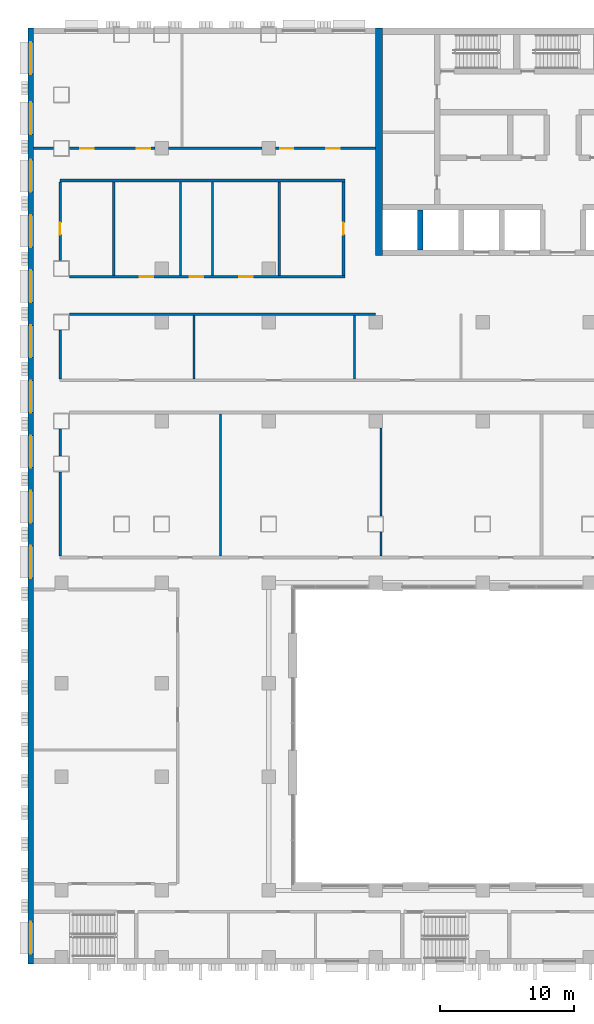
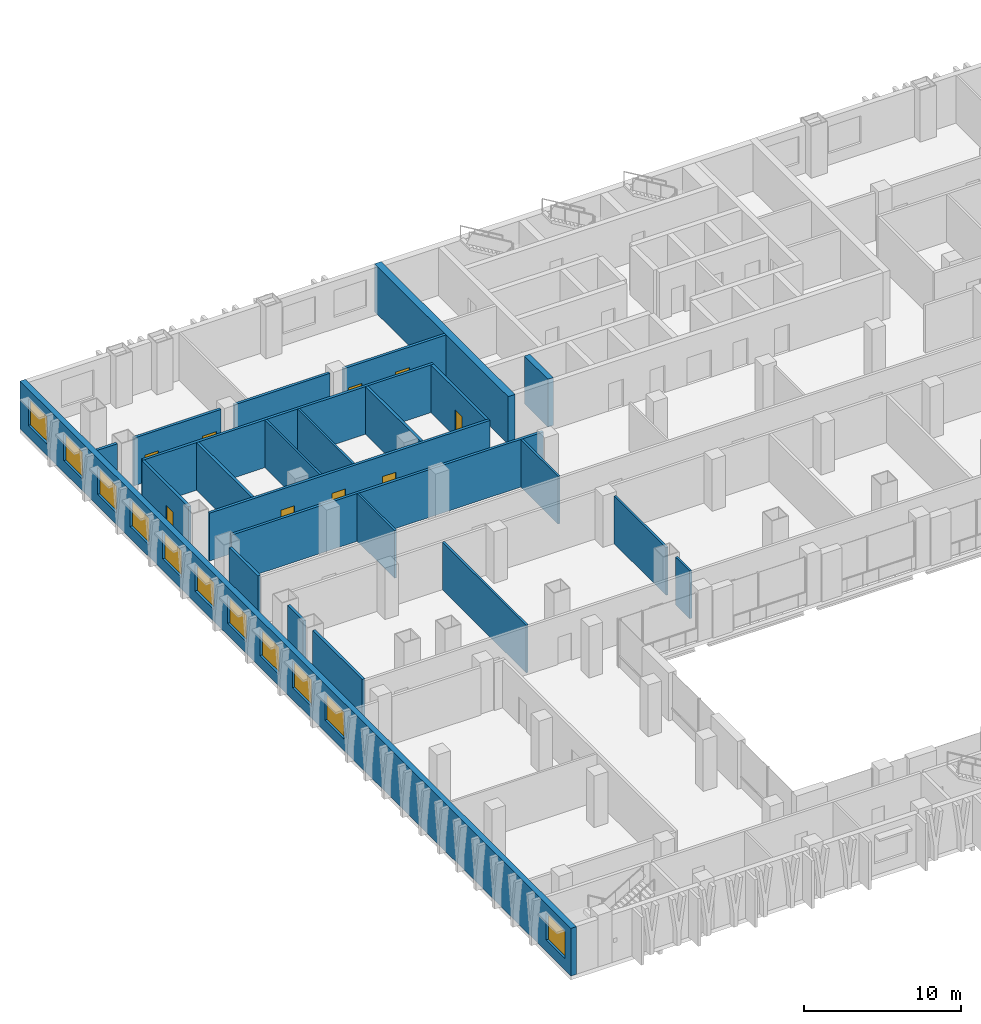
# One storey, part 11 of 25: 24 walls, 11 windows, 9 doors, 20 openings.
"""IFC4 building model written with IfcOpenShell, lengths in metres."""

import ifcopenshell
import ifcopenshell.guid

model = None  # the IFC model being written
_history = None  # IfcOwnerHistory: only IFC2X3 demands one
_inside = {}  # id of a spatial element -> (the spatial element, [elements in it])
_under = {}  # id of a project, library or spatial element -> (it, [spatial elements below it])
_declared = {}  # id of a project -> (the project, [libraries it declares])
_typed = {}  # id of a type object -> (the type object, [elements of that type])
_made_of = {}  # id of a material, layer set ... -> (it, [elements and type objects made of it])


def new_model(schema):
    """Start an empty IFC model of exactly this schema.

    Asked for "IFC4X3", IfcOpenShell would pick the latest addendum, in which some entities
    have other attributes; the version numbers below select the first issue.
    IFC2X3 requires an IfcOwnerHistory on every rooted entity: one is made here for all.
    """
    global model, _history
    if schema == "IFC4X3":
        model = ifcopenshell.file(schema_version=(4, 3, 0, 0))
    else:
        model = ifcopenshell.file(schema=schema)
    _inside.clear()
    _under.clear()
    _declared.clear()
    _typed.clear()
    _made_of.clear()
    _history = None
    if model.schema == "IFC2X3":
        org = make("IfcOrganization", Name="unknown")
        user = make(
            "IfcPersonAndOrganization",
            ThePerson=make("IfcPerson", FamilyName="unknown"),
            TheOrganization=org,
        )
        app = make(
            "IfcApplication",
            ApplicationDeveloper=org,
            Version="unknown",
            ApplicationFullName="unknown",
            ApplicationIdentifier="unknown",
        )
        _history = make(
            "IfcOwnerHistory",
            OwningUser=user,
            OwningApplication=app,
            ChangeAction="ADDED",
            CreationDate=0,
        )
    return model


def make(cls, **values):
    """One entity of the class cls with the attributes given. An attribute that is None is left unset."""
    return model.create_entity(
        cls, **{name: value for name, value in values.items() if value is not None}
    )


def rooted(cls, **values):
    """An entity with a GlobalId (a new one), such as an element, a storey or a relation."""
    return make(cls, GlobalId=ifcopenshell.guid.new(), OwnerHistory=_history, **values)


def si_unit(unit_type, name, prefix=None):
    """IfcSIUnit, for example si_unit("LENGTHUNIT", "METRE", prefix="MILLI")."""
    return make("IfcSIUnit", UnitType=unit_type, Prefix=prefix, Name=name)


def assignment(units):
    """IfcUnitAssignment: the units of a project."""
    return None if units is None else make("IfcUnitAssignment", Units=units)


def point(xyz):
    """IfcCartesianPoint."""
    return None if xyz is None else make("IfcCartesianPoint", Coordinates=xyz)


def direction(xyz):
    """IfcDirection."""
    return None if xyz is None else make("IfcDirection", DirectionRatios=xyz)


def frame(location, z_axis=None, x_axis=None):
    """IfcAxis2Placement3D, a coordinate frame: its origin and axes. An axis left out is left unset."""
    return make(
        "IfcAxis2Placement3D",
        Location=point(location),
        Axis=direction(z_axis),
        RefDirection=direction(x_axis),
    )


def frame_2d(location, x_axis=None):
    """IfcAxis2Placement2D, a coordinate frame in the plane: its origin and x axis."""
    return make(
        "IfcAxis2Placement2D", Location=point(location), RefDirection=direction(x_axis)
    )


def origin():
    """The frame at (0, 0, 0) with its axes left unset."""
    return frame((0.0, 0.0, 0.0))


def place(relative_to, where):
    """IfcLocalPlacement: puts the frame where relative to a parent placement (None: the world)."""
    return make(
        "IfcLocalPlacement", PlacementRelTo=relative_to, RelativePlacement=where
    )


def context(
    kind, dimensions, precision=None, world=None, true_north=None, identifier=None
):
    """IfcGeometricRepresentationContext, for example the 3D "Model" context."""
    return make(
        "IfcGeometricRepresentationContext",
        ContextIdentifier=identifier,
        ContextType=kind,
        CoordinateSpaceDimension=dimensions,
        Precision=precision,
        WorldCoordinateSystem=world,
        TrueNorth=true_north,
    )


def subcontext(parent, identifier, kind, view, scale=None):
    """IfcGeometricRepresentationSubContext, for example "Body" below "Model"."""
    return make(
        "IfcGeometricRepresentationSubContext",
        ContextIdentifier=identifier,
        ContextType=kind,
        ParentContext=parent,
        TargetScale=scale,
        TargetView=view,
    )


def project(units=None, contexts=None):
    """IfcProject with its units and contexts."""
    return rooted(
        "IfcProject",
        Name="project",
        RepresentationContexts=contexts,
        UnitsInContext=assignment(units),
    )


def spatial(cls, under=None, at=None, **own):
    """A site, building, storey or space (cls), placed at a placement, below another one or the project."""
    s = rooted(cls, ObjectPlacement=at, **own)
    if under is not None:
        _under.setdefault(under.id(), (under, []))[1].append(s)
    return s


def profile(cls, at=None, kind="AREA", **sizes):
    """A parametric profile (cls). Its sizes go by their IFC names, for example OverallWidth=200.0."""
    return make(cls, ProfileType=kind, Position=at, **sizes)


def rectangle(**sizes):
    """IfcRectangleProfileDef."""
    return profile("IfcRectangleProfileDef", **sizes)


def extrude(swept, where, along, depth):
    """IfcExtrudedAreaSolid: the profile swept, set in the frame where, extruded along a direction by depth."""
    return make(
        "IfcExtrudedAreaSolid",
        SweptArea=swept,
        Position=where,
        ExtrudedDirection=direction(along),
        Depth=depth,
    )


def shape(context_of_items, identifier, shape_type, items):
    """IfcShapeRepresentation: the items that make up one representation, for example the "Body"."""
    return make(
        "IfcShapeRepresentation",
        ContextOfItems=context_of_items,
        RepresentationIdentifier=identifier,
        RepresentationType=shape_type,
        Items=items,
    )


def material(Name=None, Category=None):
    """IfcMaterial."""
    return make("IfcMaterial", Name=Name, Category=Category)


def layer(
    of_material, thickness, ventilated=None, Name=None, Category=None, Priority=None
):
    """IfcMaterialLayer: one layer of a wall or slab, of a material (None: an air gap)."""
    return make(
        "IfcMaterialLayer",
        Material=of_material,
        LayerThickness=thickness,
        IsVentilated=ventilated,
        Name=Name,
        Category=Category,
        Priority=Priority,
    )


def layer_set(layers, Name=None):
    """IfcMaterialLayerSet."""
    return make("IfcMaterialLayerSet", MaterialLayers=layers, LayerSetName=Name)


def made_of(thing, what):
    """Note that an element or type object is made of a material, layer set ...; save() writes the relation."""
    if what is not None:
        _made_of.setdefault(what.id(), (what, []))[1].append(thing)
    return thing


def type_object(cls, material=None, **own):
    """A type object (cls), such as IfcWallType, which elements share."""
    return made_of(rooted(cls, **own), material)


def element(
    cls,
    number,
    at=None,
    inside=None,
    cuts=None,
    type_object=None,
    material=None,
    context=None,
    identifier="Body",
    shape_type=None,
    held_by="IfcProductDefinitionShape",
    body=None,
    shapes=None,
    **own,
):
    """One element of the class cls, such as IfcWall. Its Tag is "e" and its number.

    at: its placement. inside: the storey or other place that contains it. cuts: it is an
    opening in that element (IfcRelVoidsElement). A single representation is given by context,
    identifier, shape_type and body (its items); several are given by shapes. held_by: the class
    of the entity that holds the representations. save() writes the other relations.
    """
    e = rooted(cls, Tag="e%d" % number, ObjectPlacement=at, **own)
    if body is not None:
        shapes = [shape(context, identifier, shape_type, body)]
    if shapes is not None:
        e.Representation = make(held_by, Representations=shapes)
    if inside is not None:
        _inside.setdefault(inside.id(), (inside, []))[1].append(e)
    if cuts is not None:
        rooted(
            "IfcRelVoidsElement", RelatingBuildingElement=cuts, RelatedOpeningElement=e
        )
    if type_object is not None:
        _typed.setdefault(type_object.id(), (type_object, []))[1].append(e)
    return made_of(e, material)


def fill(opening, filler):
    """IfcRelFillsElement: the door or window that sits in an opening."""
    return rooted(
        "IfcRelFillsElement",
        RelatingOpeningElement=opening,
        RelatedBuildingElement=filler,
    )


def aggregate(whole, parts):
    """IfcRelAggregates: a whole, such as a stair, and the parts it consists of."""
    return rooted("IfcRelAggregates", RelatingObject=whole, RelatedObjects=parts)


def save(model, path):
    """Write the relations noted so far, then the file.

    IfcRelAggregates (storeys below a building ...), IfcRelContainedInSpatialStructure (elements
    in a storey), IfcRelDefinesByType, IfcRelAssociatesMaterial and IfcRelDeclares: one each for
    every whole, place, type object, material and project.
    """
    for whole, parts in _under.values():
        aggregate(whole, parts)
    for where, things in _inside.values():
        rooted(
            "IfcRelContainedInSpatialStructure",
            RelatedElements=things,
            RelatingStructure=where,
        )
    for kind, things in _typed.values():
        rooted("IfcRelDefinesByType", RelatedObjects=things, RelatingType=kind)
    for what, things in _made_of.values():
        rooted("IfcRelAssociatesMaterial", RelatedObjects=things, RelatingMaterial=what)
    for by, libraries in _declared.values():
        rooted("IfcRelDeclares", RelatingContext=by, RelatedDefinitions=libraries)
    model.write(path)


model = new_model("IFC4")

# Units and contexts
model_context = context("Model", 3, precision=1e-05, world=origin(), true_north=direction((0.0, 1.0)))
body_context = subcontext(model_context, "Body", "Model", "MODEL_VIEW")
ifc_project = project(units=[si_unit("LENGTHUNIT", "METRE"), si_unit("AREAUNIT", "SQUARE_METRE"), si_unit("VOLUMEUNIT", "CUBIC_METRE"), si_unit("PLANEANGLEUNIT", "RADIAN"), si_unit("MASSUNIT", "GRAM", prefix="KILO")], contexts=[model_context])

# Site, building, storey
site_placement = place(None, origin())
site = spatial("IfcSite", under=ifc_project, at=site_placement, CompositionType="ELEMENT")
building_placement = place(site_placement, origin())
building = spatial("IfcBuilding", under=site, at=building_placement, Name="Vidyagriha Tower", CompositionType="ELEMENT")
storey_placement = place(building_placement, frame((0.0, 0.0, 14.0)))
storey = spatial("IfcBuildingStorey", under=building, at=storey_placement, Name="L03", CompositionType="ELEMENT", Elevation=14.0)

# Wall, openings, windows
ifc_material_1 = material(Name="Concrete C40/50 board-marked with brick facing", Category="concrete")
ifc_layer_1 = layer(ifc_material_1, 0.39990234375)
ifc_layer_set_1 = layer_set([ifc_layer_1], Name="Concrete C40/50 board-marked with brick facing")
wall_type_1 = type_object("IfcWallType", Name="Brick-faced board-marked concrete podium wall 400", PredefinedType="STANDARD", material=ifc_layer_set_1)
wall_1_placement = place(storey_placement, frame((-39.800048828125, 20.0, 0.0), z_axis=(0.0, 0.0, 1.0), x_axis=(0.0, -1.0, 0.0)))
wall_1 = element("IfcWall", 1, at=wall_1_placement, inside=storey, type_object=wall_type_1, Name="Podium wall L03 R05", PredefinedType="STANDARD", context=body_context, shape_type="SweptSolid", body=[
    extrude(rectangle(XDim=70.0, YDim=0.39990234375, at=frame_2d((35.0, 0.0))), origin(), (0.0, 0.0, 1.0), 3.699951171875),
])
opening_1_placement = place(wall_1_placement, frame((1.050048828125, 0.0, 0.89990234375)))
opening_1 = element("IfcOpeningElement", 2, at=opening_1_placement, cuts=wall_1, Name="Opening WN3", PredefinedType="OPENING", context=body_context, shape_type="SweptSolid", body=[
    extrude(rectangle(XDim=2.39990234375, YDim=2.10009765625, at=frame_2d((1.199951171875, 1.050048828125))), frame((0.0, 0.2099609375, 0.0), z_axis=(0.0, -1.0, 0.0), x_axis=(1.0, 0.0, 0.0)), (0.0, 0.0, 1.0), 0.419921875),
])
opening_2_placement = place(wall_1_placement, frame((5.550048828125, 0.0, 0.89990234375)))
opening_2 = element("IfcOpeningElement", 3, at=opening_2_placement, cuts=wall_1, Name="Opening WN3", PredefinedType="OPENING", context=body_context, shape_type="SweptSolid", body=[
    extrude(rectangle(XDim=2.39990234375, YDim=2.10009765625, at=frame_2d((1.199951171875, 1.050048828125))), frame((0.0, 0.2099609375, 0.0), z_axis=(0.0, -1.0, 0.0), x_axis=(1.0, 0.0, 0.0)), (0.0, 0.0, 1.0), 0.419921875),
])
opening_3_placement = place(wall_1_placement, frame((9.862548828125, 0.0, 0.89990234375)))
opening_3 = element("IfcOpeningElement", 4, at=opening_3_placement, cuts=wall_1, Name="Opening WN3", PredefinedType="OPENING", context=body_context, shape_type="SweptSolid", body=[
    extrude(rectangle(XDim=2.39990234375, YDim=2.10009765625, at=frame_2d((1.199951171875, 1.050048828125))), frame((0.0, 0.2099609375, 0.0), z_axis=(0.0, -1.0, 0.0), x_axis=(1.0, 0.0, 0.0)), (0.0, 0.0, 1.0), 0.419921875),
])
opening_4_placement = place(wall_1_placement, frame((13.987548828125, 0.0, 0.89990234375)))
opening_4 = element("IfcOpeningElement", 5, at=opening_4_placement, cuts=wall_1, Name="Opening WN3", PredefinedType="OPENING", context=body_context, shape_type="SweptSolid", body=[
    extrude(rectangle(XDim=2.39990234375, YDim=2.10009765625, at=frame_2d((1.199951171875, 1.050048828125))), frame((0.0, 0.2099609375, 0.0), z_axis=(0.0, -1.0, 0.0), x_axis=(1.0, 0.0, 0.0)), (0.0, 0.0, 1.0), 0.419921875),
])
opening_5_placement = place(wall_1_placement, frame((18.112548828125, 0.0, 0.89990234375)))
opening_5 = element("IfcOpeningElement", 6, at=opening_5_placement, cuts=wall_1, Name="Opening WN3", PredefinedType="OPENING", context=body_context, shape_type="SweptSolid", body=[
    extrude(rectangle(XDim=2.39990234375, YDim=2.10009765625, at=frame_2d((1.199951171875, 1.050048828125))), frame((0.0, 0.2099609375, 0.0), z_axis=(0.0, -1.0, 0.0), x_axis=(1.0, 0.0, 0.0)), (0.0, 0.0, 1.0), 0.419921875),
])
opening_6_placement = place(wall_1_placement, frame((22.237548828125, 0.0, 0.89990234375)))
opening_6 = element("IfcOpeningElement", 7, at=opening_6_placement, cuts=wall_1, Name="Opening WN3", PredefinedType="OPENING", context=body_context, shape_type="SweptSolid", body=[
    extrude(rectangle(XDim=2.39990234375, YDim=2.10009765625, at=frame_2d((1.199951171875, 1.050048828125))), frame((0.0, 0.2099609375, 0.0), z_axis=(0.0, -1.0, 0.0), x_axis=(1.0, 0.0, 0.0)), (0.0, 0.0, 1.0), 0.419921875),
])
opening_7_placement = place(wall_1_placement, frame((26.362548828125, 0.0, 0.89990234375)))
opening_7 = element("IfcOpeningElement", 8, at=opening_7_placement, cuts=wall_1, Name="Opening WN3", PredefinedType="OPENING", context=body_context, shape_type="SweptSolid", body=[
    extrude(rectangle(XDim=2.39990234375, YDim=2.10009765625, at=frame_2d((1.199951171875, 1.050048828125))), frame((0.0, 0.2099609375, 0.0), z_axis=(0.0, -1.0, 0.0), x_axis=(1.0, 0.0, 0.0)), (0.0, 0.0, 1.0), 0.419921875),
])
opening_8_placement = place(wall_1_placement, frame((30.487548828125, 0.0, 0.89990234375)))
opening_8 = element("IfcOpeningElement", 9, at=opening_8_placement, cuts=wall_1, Name="Opening WN3", PredefinedType="OPENING", context=body_context, shape_type="SweptSolid", body=[
    extrude(rectangle(XDim=2.39990234375, YDim=2.10009765625, at=frame_2d((1.199951171875, 1.050048828125))), frame((0.0, 0.2099609375, 0.0), z_axis=(0.0, -1.0, 0.0), x_axis=(1.0, 0.0, 0.0)), (0.0, 0.0, 1.0), 0.419921875),
])
opening_9_placement = place(wall_1_placement, frame((34.612548828125, 0.0, 0.89990234375)))
opening_9 = element("IfcOpeningElement", 10, at=opening_9_placement, cuts=wall_1, Name="Opening WN3", PredefinedType="OPENING", context=body_context, shape_type="SweptSolid", body=[
    extrude(rectangle(XDim=2.39990234375, YDim=2.10009765625, at=frame_2d((1.199951171875, 1.050048828125))), frame((0.0, 0.2099609375, 0.0), z_axis=(0.0, -1.0, 0.0), x_axis=(1.0, 0.0, 0.0)), (0.0, 0.0, 1.0), 0.419921875),
])
opening_10_placement = place(wall_1_placement, frame((38.737548828125, 0.0, 0.89990234375)))
opening_10 = element("IfcOpeningElement", 11, at=opening_10_placement, cuts=wall_1, Name="Opening WN3", PredefinedType="OPENING", context=body_context, shape_type="SweptSolid", body=[
    extrude(rectangle(XDim=2.39990234375, YDim=2.10009765625, at=frame_2d((1.199951171875, 1.050048828125))), frame((0.0, 0.2099609375, 0.0), z_axis=(0.0, -1.0, 0.0), x_axis=(1.0, 0.0, 0.0)), (0.0, 0.0, 1.0), 0.419921875),
])
opening_11_placement = place(wall_1_placement, frame((66.85009765625, 0.0, 0.89990234375)))
opening_11 = element("IfcOpeningElement", 12, at=opening_11_placement, cuts=wall_1, Name="Opening WN3", PredefinedType="OPENING", context=body_context, shape_type="SweptSolid", body=[
    extrude(rectangle(XDim=2.39990234375, YDim=2.10009765625, at=frame_2d((1.199951171875, 1.050048828125))), frame((0.0, 0.2099609375, 0.0), z_axis=(0.0, -1.0, 0.0), x_axis=(1.0, 0.0, 0.0)), (0.0, 0.0, 1.0), 0.419921875),
])
ifc_material_2 = material(Name="Aluminium and glass window", Category="aluminium")
window_type = type_object("IfcWindowType", Name="Podium school window 2400x2100", PartitioningType="NOTDEFINED", PredefinedType="WINDOW", material=ifc_material_2)
window_1_placement = place(opening_1_placement, origin())
window_1 = element("IfcWindow", 13, at=window_1_placement, inside=storey, type_object=window_type, Name="School window L03 R05.1", OverallHeight=2.10009765625, OverallWidth=2.39990234375, PartitioningType="SINGLE_PANEL", PredefinedType="WINDOW", context=body_context, shape_type="SweptSolid", body=[
    extrude(rectangle(XDim=2.39990234375, YDim=2.10009765625, at=frame_2d((1.199951171875, 1.050048828125))), frame((0.0, 0.030029296875, 0.0), z_axis=(0.0, -1.0, 0.0), x_axis=(1.0, 0.0, 0.0)), (0.0, 0.0, 1.0), 0.06005859375),
])
fill(opening_1, window_1)
window_2_placement = place(opening_2_placement, origin())
window_2 = element("IfcWindow", 14, at=window_2_placement, inside=storey, type_object=window_type, Name="School window L03 R05.2", OverallHeight=2.10009765625, OverallWidth=2.39990234375, PartitioningType="SINGLE_PANEL", PredefinedType="WINDOW", context=body_context, shape_type="SweptSolid", body=[
    extrude(rectangle(XDim=2.39990234375, YDim=2.10009765625, at=frame_2d((1.199951171875, 1.050048828125))), frame((0.0, 0.030029296875, 0.0), z_axis=(0.0, -1.0, 0.0), x_axis=(1.0, 0.0, 0.0)), (0.0, 0.0, 1.0), 0.06005859375),
])
fill(opening_2, window_2)
window_3_placement = place(opening_3_placement, origin())
window_3 = element("IfcWindow", 15, at=window_3_placement, inside=storey, type_object=window_type, Name="School window L03 R05.3", OverallHeight=2.10009765625, OverallWidth=2.39990234375, PartitioningType="SINGLE_PANEL", PredefinedType="WINDOW", context=body_context, shape_type="SweptSolid", body=[
    extrude(rectangle(XDim=2.39990234375, YDim=2.10009765625, at=frame_2d((1.199951171875, 1.050048828125))), frame((0.0, 0.030029296875, 0.0), z_axis=(0.0, -1.0, 0.0), x_axis=(1.0, 0.0, 0.0)), (0.0, 0.0, 1.0), 0.06005859375),
])
fill(opening_3, window_3)
window_4_placement = place(opening_4_placement, origin())
window_4 = element("IfcWindow", 16, at=window_4_placement, inside=storey, type_object=window_type, Name="School window L03 R05.4", OverallHeight=2.10009765625, OverallWidth=2.39990234375, PartitioningType="SINGLE_PANEL", PredefinedType="WINDOW", context=body_context, shape_type="SweptSolid", body=[
    extrude(rectangle(XDim=2.39990234375, YDim=2.10009765625, at=frame_2d((1.199951171875, 1.050048828125))), frame((0.0, 0.030029296875, 0.0), z_axis=(0.0, -1.0, 0.0), x_axis=(1.0, 0.0, 0.0)), (0.0, 0.0, 1.0), 0.06005859375),
])
fill(opening_4, window_4)
window_5_placement = place(opening_5_placement, origin())
window_5 = element("IfcWindow", 17, at=window_5_placement, inside=storey, type_object=window_type, Name="School window L03 R05.5", OverallHeight=2.10009765625, OverallWidth=2.39990234375, PartitioningType="SINGLE_PANEL", PredefinedType="WINDOW", context=body_context, shape_type="SweptSolid", body=[
    extrude(rectangle(XDim=2.39990234375, YDim=2.10009765625, at=frame_2d((1.199951171875, 1.050048828125))), frame((0.0, 0.030029296875, 0.0), z_axis=(0.0, -1.0, 0.0), x_axis=(1.0, 0.0, 0.0)), (0.0, 0.0, 1.0), 0.06005859375),
])
fill(opening_5, window_5)
window_6_placement = place(opening_6_placement, origin())
window_6 = element("IfcWindow", 18, at=window_6_placement, inside=storey, type_object=window_type, Name="School window L03 R05.6", OverallHeight=2.10009765625, OverallWidth=2.39990234375, PartitioningType="SINGLE_PANEL", PredefinedType="WINDOW", context=body_context, shape_type="SweptSolid", body=[
    extrude(rectangle(XDim=2.39990234375, YDim=2.10009765625, at=frame_2d((1.199951171875, 1.050048828125))), frame((0.0, 0.030029296875, 0.0), z_axis=(0.0, -1.0, 0.0), x_axis=(1.0, 0.0, 0.0)), (0.0, 0.0, 1.0), 0.06005859375),
])
fill(opening_6, window_6)
window_7_placement = place(opening_7_placement, origin())
window_7 = element("IfcWindow", 19, at=window_7_placement, inside=storey, type_object=window_type, Name="School window L03 R05.7", OverallHeight=2.10009765625, OverallWidth=2.39990234375, PartitioningType="SINGLE_PANEL", PredefinedType="WINDOW", context=body_context, shape_type="SweptSolid", body=[
    extrude(rectangle(XDim=2.39990234375, YDim=2.10009765625, at=frame_2d((1.199951171875, 1.050048828125))), frame((0.0, 0.030029296875, 0.0), z_axis=(0.0, -1.0, 0.0), x_axis=(1.0, 0.0, 0.0)), (0.0, 0.0, 1.0), 0.06005859375),
])
fill(opening_7, window_7)
window_8_placement = place(opening_8_placement, origin())
window_8 = element("IfcWindow", 20, at=window_8_placement, inside=storey, type_object=window_type, Name="School window L03 R05.8", OverallHeight=2.10009765625, OverallWidth=2.39990234375, PartitioningType="SINGLE_PANEL", PredefinedType="WINDOW", context=body_context, shape_type="SweptSolid", body=[
    extrude(rectangle(XDim=2.39990234375, YDim=2.10009765625, at=frame_2d((1.199951171875, 1.050048828125))), frame((0.0, 0.030029296875, 0.0), z_axis=(0.0, -1.0, 0.0), x_axis=(1.0, 0.0, 0.0)), (0.0, 0.0, 1.0), 0.06005859375),
])
fill(opening_8, window_8)
window_9_placement = place(opening_9_placement, origin())
window_9 = element("IfcWindow", 21, at=window_9_placement, inside=storey, type_object=window_type, Name="School window L03 R05.9", OverallHeight=2.10009765625, OverallWidth=2.39990234375, PartitioningType="SINGLE_PANEL", PredefinedType="WINDOW", context=body_context, shape_type="SweptSolid", body=[
    extrude(rectangle(XDim=2.39990234375, YDim=2.10009765625, at=frame_2d((1.199951171875, 1.050048828125))), frame((0.0, 0.030029296875, 0.0), z_axis=(0.0, -1.0, 0.0), x_axis=(1.0, 0.0, 0.0)), (0.0, 0.0, 1.0), 0.06005859375),
])
fill(opening_9, window_9)
window_10_placement = place(opening_10_placement, origin())
window_10 = element("IfcWindow", 22, at=window_10_placement, inside=storey, type_object=window_type, Name="School window L03 R05.10", OverallHeight=2.10009765625, OverallWidth=2.39990234375, PartitioningType="SINGLE_PANEL", PredefinedType="WINDOW", context=body_context, shape_type="SweptSolid", body=[
    extrude(rectangle(XDim=2.39990234375, YDim=2.10009765625, at=frame_2d((1.199951171875, 1.050048828125))), frame((0.0, 0.030029296875, 0.0), z_axis=(0.0, -1.0, 0.0), x_axis=(1.0, 0.0, 0.0)), (0.0, 0.0, 1.0), 0.06005859375),
])
fill(opening_10, window_10)
window_11_placement = place(opening_11_placement, origin())
window_11 = element("IfcWindow", 23, at=window_11_placement, inside=storey, type_object=window_type, Name="School window L03 R05.19", OverallHeight=2.10009765625, OverallWidth=2.39990234375, PartitioningType="SINGLE_PANEL", PredefinedType="WINDOW", context=body_context, shape_type="SweptSolid", body=[
    extrude(rectangle(XDim=2.39990234375, YDim=2.10009765625, at=frame_2d((1.199951171875, 1.050048828125))), frame((0.0, 0.030029296875, 0.0), z_axis=(0.0, -1.0, 0.0), x_axis=(1.0, 0.0, 0.0)), (0.0, 0.0, 1.0), 0.06005859375),
])
fill(opening_11, window_11)

# Walls
ifc_material_3 = material(Name="Concrete C60/75", Category="concrete")
ifc_layer_2 = layer(ifc_material_3, 0.39990234375)
ifc_layer_set_2 = layer_set([ifc_layer_2], Name="Concrete C60/75")
wall_type_2 = type_object("IfcWallType", Name="Core shear wall 400 mm", PredefinedType="SHEAR", material=ifc_layer_set_2)
wall_2_placement = place(storey_placement, frame((-10.655517578125, 3.39990234375, 0.0), z_axis=(0.0, 0.0, 1.0), x_axis=(0.0, 1.0, 0.0)))
element("IfcWall", 24, at=wall_2_placement, inside=storey, type_object=wall_type_2, Name="Core bay wall S1", PredefinedType="SHEAR", context=body_context, shape_type="SweptSolid", body=[
    extrude(rectangle(XDim=3.0, YDim=0.39990234375, at=frame_2d((1.5, 0.0))), origin(), (0.0, 0.0, 1.0), 3.699951171875),
])
ifc_material_4 = material(Name="Concrete C60/75", Category="concrete")
ifc_layer_3 = layer(ifc_material_4, 0.5)
ifc_layer_set_3 = layer_set([ifc_layer_3], Name="Concrete C60/75")
wall_type_3 = type_object("IfcWallType", Name="Core shear wall 500 mm", PredefinedType="SHEAR", material=ifc_layer_set_3)
wall_3_placement = place(storey_placement, frame((-13.75, 3.0, 0.0), z_axis=(0.0, 0.0, 1.0), x_axis=(0.0, 1.0, 0.0)))
element("IfcWall", 25, at=wall_3_placement, inside=storey, type_object=wall_type_3, Name="Core west wall", PredefinedType="SHEAR", context=body_context, shape_type="SweptSolid", body=[
    extrude(rectangle(XDim=17.0, YDim=0.5, at=frame_2d((8.5, 0.0))), origin(), (0.0, 0.0, 1.0), 3.699951171875),
])
ifc_material_5 = material(Name="Fire rated gypsum board on light gauge framing")
ifc_layer_4 = layer(ifc_material_5, 0.199951171875)
ifc_layer_set_4 = layer_set([ifc_layer_4], Name="Fire rated gypsum board on light gauge framing")
wall_type_4 = type_object("IfcWallType", Name="Fire Rated Corridor Wall 200", PredefinedType="PARTITIONING", material=ifc_layer_set_4)
wall_4_placement = place(storey_placement, frame((-36.89990234375, -1.39990234375, 0.0)))
element("IfcWall", 26, at=wall_4_placement, inside=storey, type_object=wall_type_4, Name="L03 Fire Rated Corridor Wall 200 024", PredefinedType="PARTITIONING", context=body_context, shape_type="SweptSolid", body=[
    extrude(rectangle(XDim=22.89990234375, YDim=0.199951171875, at=frame_2d((11.449951171875, 0.0))), origin(), (0.0, 0.0, 1.0), 3.699951171875),
])

# Wall, openings, doors
wall_5_placement = place(storey_placement, frame((-36.89990234375, 1.39990234375, 0.0)))
wall_5 = element("IfcWall", 27, at=wall_5_placement, inside=storey, type_object=wall_type_4, Name="L03 Fire Rated Corridor Wall 200 026", PredefinedType="PARTITIONING", context=body_context, shape_type="SweptSolid", body=[
    extrude(rectangle(XDim=20.599853515625, YDim=0.199951171875, at=frame_2d((10.2998046875, 0.0))), origin(), (0.0, 0.0, 1.0), 3.699951171875),
])
opening_12_placement = place(wall_5_placement, frame((5.25, 0.0, 0.0)))
opening_12 = element("IfcOpeningElement", 28, at=opening_12_placement, cuts=wall_5, Name="Opening D03-47", PredefinedType="OPENING", context=body_context, shape_type="SweptSolid", body=[
    extrude(rectangle(XDim=1.0, YDim=2.10009765625, at=frame_2d((0.5, 1.050048828125))), frame((0.0, 0.10986328125, 0.0), z_axis=(0.0, -1.0, 0.0), x_axis=(1.0, 0.0, 0.0)), (0.0, 0.0, 1.0), 0.219970703125),
])
opening_13_placement = place(wall_5_placement, frame((9.0, 0.0, 0.0)))
opening_13 = element("IfcOpeningElement", 29, at=opening_13_placement, cuts=wall_5, Name="Opening D03-48", PredefinedType="OPENING", context=body_context, shape_type="SweptSolid", body=[
    extrude(rectangle(XDim=1.0, YDim=2.10009765625, at=frame_2d((0.5, 1.050048828125))), frame((0.0, 0.10986328125, 0.0), z_axis=(0.0, -1.0, 0.0), x_axis=(1.0, 0.0, 0.0)), (0.0, 0.0, 1.0), 0.219970703125),
])
opening_14_placement = place(wall_5_placement, frame((12.699951171875, 0.0, 0.0)))
opening_14 = element("IfcOpeningElement", 30, at=opening_14_placement, cuts=wall_5, Name="Opening D03-49", PredefinedType="OPENING", context=body_context, shape_type="SweptSolid", body=[
    extrude(rectangle(XDim=1.0, YDim=2.10009765625, at=frame_2d((0.5, 1.050048828125))), frame((0.0, 0.10986328125, 0.0), z_axis=(0.0, -1.0, 0.0), x_axis=(1.0, 0.0, 0.0)), (0.0, 0.0, 1.0), 0.219970703125),
])
ifc_material_6 = material(Name="Steel fire door set", Category="steel")
door_type_1 = type_object("IfcDoorType", Name="Podium Door 1000x2100 EI 30", OperationType="NOTDEFINED", PredefinedType="DOOR", material=ifc_material_6)
door_1_placement = place(opening_12_placement, origin())
door_1 = element("IfcDoor", 31, at=door_1_placement, inside=storey, type_object=door_type_1, Name="L03 door D03-47", OperationType="SINGLE_SWING_LEFT", OverallHeight=2.10009765625, OverallWidth=1.0, PredefinedType="DOOR", context=body_context, shape_type="SweptSolid", body=[
    extrude(rectangle(XDim=1.0, YDim=2.10009765625, at=frame_2d((0.5, 1.050048828125))), frame((0.0, 0.02490234375, 0.0), z_axis=(0.0, -1.0, 0.0), x_axis=(1.0, 0.0, 0.0)), (0.0, 0.0, 1.0), 0.050048828125),
])
fill(opening_12, door_1)
door_2_placement = place(opening_13_placement, origin())
door_2 = element("IfcDoor", 32, at=door_2_placement, inside=storey, type_object=door_type_1, Name="L03 door D03-48", OperationType="SINGLE_SWING_LEFT", OverallHeight=2.10009765625, OverallWidth=1.0, PredefinedType="DOOR", context=body_context, shape_type="SweptSolid", body=[
    extrude(rectangle(XDim=1.0, YDim=2.10009765625, at=frame_2d((0.5, 1.050048828125))), frame((0.0, 0.02490234375, 0.0), z_axis=(0.0, -1.0, 0.0), x_axis=(1.0, 0.0, 0.0)), (0.0, 0.0, 1.0), 0.050048828125),
])
fill(opening_13, door_2)
door_3_placement = place(opening_14_placement, origin())
door_3 = element("IfcDoor", 33, at=door_3_placement, inside=storey, type_object=door_type_1, Name="L03 door D03-49", OperationType="SINGLE_SWING_RIGHT", OverallHeight=2.10009765625, OverallWidth=1.0, PredefinedType="DOOR", context=body_context, shape_type="SweptSolid", body=[
    extrude(rectangle(XDim=1.0, YDim=2.10009765625, at=frame_2d((0.5, 1.050048828125))), frame((0.0, 0.02490234375, 0.0), z_axis=(0.0, -1.0, 0.0), x_axis=(1.0, 0.0, 0.0)), (0.0, 0.0, 1.0), 0.050048828125),
])
fill(opening_14, door_3)

# Walls
wall_6_placement = place(storey_placement, frame((-37.599853515625, 8.60009765625, 0.0)))
element("IfcWall", 34, at=wall_6_placement, inside=storey, type_object=wall_type_4, Name="L03 Fire Rated Corridor Wall 200 028", PredefinedType="PARTITIONING", context=body_context, shape_type="SweptSolid", body=[
    extrude(rectangle(XDim=21.2998046875, YDim=0.199951171875, at=frame_2d((10.64990234375, 0.0))), origin(), (0.0, 0.0, 1.0), 3.699951171875),
])
wall_7_placement = place(storey_placement, frame((-39.60009765625, 11.0, 0.0)))
element("IfcWall", 35, at=wall_7_placement, inside=storey, type_object=wall_type_4, Name="L03 Fire Rated Corridor Wall 200 030", PredefinedType="PARTITIONING", context=body_context, shape_type="SweptSolid", body=[
    extrude(rectangle(XDim=1.5, YDim=0.199951171875, at=frame_2d((0.75, 0.0))), origin(), (0.0, 0.0, 1.0), 3.699951171875),
])

# Wall, openings, doors
wall_8_placement = place(storey_placement, frame((-36.89990234375, 11.0, 0.0)))
wall_8 = element("IfcWall", 36, at=wall_8_placement, inside=storey, type_object=wall_type_4, Name="L03 Fire Rated Corridor Wall 200 031", PredefinedType="PARTITIONING", context=body_context, shape_type="SweptSolid", body=[
    extrude(rectangle(XDim=6.39990234375, YDim=0.199951171875, at=frame_2d((3.199951171875, 0.0))), origin(), (0.0, 0.0, 1.0), 3.699951171875),
])
opening_15_placement = place(wall_8_placement, frame((0.802001953125, 0.0, 0.0)))
opening_15 = element("IfcOpeningElement", 37, at=opening_15_placement, cuts=wall_8, Name="Opening D03-56", PredefinedType="OPENING", context=body_context, shape_type="SweptSolid", body=[
    extrude(rectangle(XDim=1.0, YDim=2.10009765625, at=frame_2d((0.5, 1.050048828125))), frame((0.0, 0.10986328125, 0.0), z_axis=(0.0, -1.0, 0.0), x_axis=(1.0, 0.0, 0.0)), (0.0, 0.0, 1.0), 0.219970703125),
])
opening_16_placement = place(wall_8_placement, frame((5.050048828125, 0.0, 0.0)))
opening_16 = element("IfcOpeningElement", 38, at=opening_16_placement, cuts=wall_8, Name="Opening D03-57", PredefinedType="OPENING", context=body_context, shape_type="SweptSolid", body=[
    extrude(rectangle(XDim=1.0, YDim=2.10009765625, at=frame_2d((0.5, 1.050048828125))), frame((0.0, 0.10986328125, 0.0), z_axis=(0.0, -1.0, 0.0), x_axis=(1.0, 0.0, 0.0)), (0.0, 0.0, 1.0), 0.219970703125),
])
door_4_placement = place(opening_15_placement, origin())
door_4 = element("IfcDoor", 39, at=door_4_placement, inside=storey, type_object=door_type_1, Name="L03 door D03-56", OperationType="SINGLE_SWING_LEFT", OverallHeight=2.10009765625, OverallWidth=1.0, PredefinedType="DOOR", context=body_context, shape_type="SweptSolid", body=[
    extrude(rectangle(XDim=1.0, YDim=2.10009765625, at=frame_2d((0.5, 1.050048828125))), frame((0.0, 0.02490234375, 0.0), z_axis=(0.0, -1.0, 0.0), x_axis=(1.0, 0.0, 0.0)), (0.0, 0.0, 1.0), 0.050048828125),
])
fill(opening_15, door_4)
door_5_placement = place(opening_16_placement, origin())
door_5 = element("IfcDoor", 40, at=door_5_placement, inside=storey, type_object=door_type_1, Name="L03 door D03-57", OperationType="SINGLE_SWING_RIGHT", OverallHeight=2.10009765625, OverallWidth=1.0, PredefinedType="DOOR", context=body_context, shape_type="SweptSolid", body=[
    extrude(rectangle(XDim=1.0, YDim=2.10009765625, at=frame_2d((0.5, 1.050048828125))), frame((0.0, 0.02490234375, 0.0), z_axis=(0.0, -1.0, 0.0), x_axis=(1.0, 0.0, 0.0)), (0.0, 0.0, 1.0), 0.050048828125),
])
fill(opening_16, door_5)

# Wall
wall_9_placement = place(storey_placement, frame((-29.5, 11.0, 0.0)))
element("IfcWall", 41, at=wall_9_placement, inside=storey, type_object=wall_type_4, Name="L03 Fire Rated Corridor Wall 200 032", PredefinedType="PARTITIONING", context=body_context, shape_type="SweptSolid", body=[
    extrude(rectangle(XDim=7.0, YDim=0.199951171875, at=frame_2d((3.5, 0.0))), origin(), (0.0, 0.0, 1.0), 3.699951171875),
])

# Wall, openings, doors
wall_10_placement = place(storey_placement, frame((-21.5, 11.0, 0.0)))
wall_10 = element("IfcWall", 42, at=wall_10_placement, inside=storey, type_object=wall_type_4, Name="L03 Fire Rated Corridor Wall 200 033", PredefinedType="PARTITIONING", context=body_context, shape_type="SweptSolid", body=[
    extrude(rectangle(XDim=7.5, YDim=0.199951171875, at=frame_2d((3.75, 0.0))), origin(), (0.0, 0.0, 1.0), 3.699951171875),
])
opening_17_placement = place(wall_10_placement, frame((0.35009765625, 0.0, 0.0)))
opening_17 = element("IfcOpeningElement", 43, at=opening_17_placement, cuts=wall_10, Name="Opening D03-58", PredefinedType="OPENING", context=body_context, shape_type="SweptSolid", body=[
    extrude(rectangle(XDim=1.0, YDim=2.10009765625, at=frame_2d((0.5, 1.050048828125))), frame((0.0, 0.10986328125, 0.0), z_axis=(0.0, -1.0, 0.0), x_axis=(1.0, 0.0, 0.0)), (0.0, 0.0, 1.0), 0.219970703125),
])
opening_18_placement = place(wall_10_placement, frame((3.81005859375, 0.0, 0.0)))
opening_18 = element("IfcOpeningElement", 44, at=opening_18_placement, cuts=wall_10, Name="Opening D03-59", PredefinedType="OPENING", context=body_context, shape_type="SweptSolid", body=[
    extrude(rectangle(XDim=1.0, YDim=2.10009765625, at=frame_2d((0.5, 1.050048828125))), frame((0.0, 0.10986328125, 0.0), z_axis=(0.0, -1.0, 0.0), x_axis=(1.0, 0.0, 0.0)), (0.0, 0.0, 1.0), 0.219970703125),
])
door_6_placement = place(opening_17_placement, origin())
door_6 = element("IfcDoor", 45, at=door_6_placement, inside=storey, type_object=door_type_1, Name="L03 door D03-58", OperationType="SINGLE_SWING_LEFT", OverallHeight=2.10009765625, OverallWidth=1.0, PredefinedType="DOOR", context=body_context, shape_type="SweptSolid", body=[
    extrude(rectangle(XDim=1.0, YDim=2.10009765625, at=frame_2d((0.5, 1.050048828125))), frame((0.0, 0.02490234375, 0.0), z_axis=(0.0, -1.0, 0.0), x_axis=(1.0, 0.0, 0.0)), (0.0, 0.0, 1.0), 0.050048828125),
])
fill(opening_17, door_6)
door_7_placement = place(opening_18_placement, origin())
door_7 = element("IfcDoor", 46, at=door_7_placement, inside=storey, type_object=door_type_1, Name="L03 door D03-59", OperationType="SINGLE_SWING_RIGHT", OverallHeight=2.10009765625, OverallWidth=1.0, PredefinedType="DOOR", context=body_context, shape_type="SweptSolid", body=[
    extrude(rectangle(XDim=1.0, YDim=2.10009765625, at=frame_2d((0.5, 1.050048828125))), frame((0.0, 0.02490234375, 0.0), z_axis=(0.0, -1.0, 0.0), x_axis=(1.0, 0.0, 0.0)), (0.0, 0.0, 1.0), 0.050048828125),
])
fill(opening_18, door_7)

# Walls
wall_11_placement = place(storey_placement, frame((-37.60009765625, -19.5, 0.0), z_axis=(0.0, 0.0, 1.0), x_axis=(0.0, 1.0, 0.0)))
element("IfcWall", 47, at=wall_11_placement, inside=storey, type_object=wall_type_4, Name="L03 Fire Rated Corridor Wall 200 039", PredefinedType="PARTITIONING", context=body_context, shape_type="SweptSolid", body=[
    extrude(rectangle(XDim=6.300048828125, YDim=0.199951171875, at=frame_2d((3.14990234375, 0.0))), origin(), (0.0, 0.0, 1.0), 3.699951171875),
])
wall_12_placement = place(storey_placement, frame((-37.60009765625, -12.0, 0.0), z_axis=(0.0, 0.0, 1.0), x_axis=(0.0, 1.0, 0.0)))
element("IfcWall", 48, at=wall_12_placement, inside=storey, type_object=wall_type_4, Name="L03 Fire Rated Corridor Wall 200 040", PredefinedType="PARTITIONING", context=body_context, shape_type="SweptSolid", body=[
    extrude(rectangle(XDim=2.0, YDim=0.199951171875, at=frame_2d((1.0, 0.0))), origin(), (0.0, 0.0, 1.0), 3.699951171875),
])
wall_13_placement = place(storey_placement, frame((-37.60009765625, -6.25, 0.0), z_axis=(0.0, 0.0, 1.0), x_axis=(0.0, 1.0, 0.0)))
element("IfcWall", 49, at=wall_13_placement, inside=storey, type_object=wall_type_4, Name="L03 Fire Rated Corridor Wall 200 041", PredefinedType="PARTITIONING", context=body_context, shape_type="SweptSolid", body=[
    extrude(rectangle(XDim=3.64990234375, YDim=0.199951171875, at=frame_2d((1.824951171875, 0.0))), origin(), (0.0, 0.0, 1.0), 3.699951171875),
])

# Wall, opening, door
wall_14_placement = place(storey_placement, frame((-37.60009765625, 2.60009765625, 0.0), z_axis=(0.0, 0.0, 1.0), x_axis=(0.0, 1.0, 0.0)))
wall_14 = element("IfcWall", 50, at=wall_14_placement, inside=storey, type_object=wall_type_4, Name="L03 Fire Rated Corridor Wall 200 042", PredefinedType="PARTITIONING", context=body_context, shape_type="SweptSolid", body=[
    extrude(rectangle(XDim=5.89990234375, YDim=0.199951171875, at=frame_2d((2.949951171875, 0.0))), origin(), (0.0, 0.0, 1.0), 3.699951171875),
])
opening_19_placement = place(wall_14_placement, frame((1.949951171875, 0.0, 0.0)))
opening_19 = element("IfcOpeningElement", 51, at=opening_19_placement, cuts=wall_14, Name="Opening D03-46", PredefinedType="OPENING", context=body_context, shape_type="SweptSolid", body=[
    extrude(rectangle(XDim=0.89990234375, YDim=2.10009765625, at=frame_2d((0.449951171875, 1.050048828125))), frame((0.0, 0.10986328125, 0.0), z_axis=(0.0, -1.0, 0.0), x_axis=(1.0, 0.0, 0.0)), (0.0, 0.0, 1.0), 0.219970703125),
])
ifc_material_7 = material(Name="Steel fire door set", Category="steel")
door_type_2 = type_object("IfcDoorType", Name="Podium Door 900x2100 EI 30", OperationType="NOTDEFINED", PredefinedType="DOOR", material=ifc_material_7)
door_8_placement = place(opening_19_placement, frame((0.89990234375, 0.0, 0.0), z_axis=(0.0, 0.0, 1.0), x_axis=(-1.0, 0.0, 0.0)))
door_8 = element("IfcDoor", 52, at=door_8_placement, inside=storey, type_object=door_type_2, Name="L03 door D03-46", OperationType="SINGLE_SWING_LEFT", OverallHeight=2.10009765625, OverallWidth=0.89990234375, PredefinedType="DOOR", context=body_context, shape_type="SweptSolid", body=[
    extrude(rectangle(XDim=0.89990234375, YDim=2.10009765625, at=frame_2d((0.449951171875, 1.050048828125))), frame((0.0, 0.02490234375, 0.0), z_axis=(0.0, -1.0, 0.0), x_axis=(1.0, 0.0, 0.0)), (0.0, 0.0, 1.0), 0.050048828125),
])
fill(opening_19, door_8)

# Walls
for number, where, z_axis, x_axis, name in (
    (53, (-33.60009765625, 1.5, 0.0), (0.0, 0.0, 1.0), (0.0, 1.0, 0.0), "L03 Fire Rated Corridor Wall 200 043"),
    (54, (-21.199951171875, 1.5, 0.0), (0.0, 0.0, 1.0), (0.0, 1.0, 0.0), "L03 Fire Rated Corridor Wall 200 052"),
):
    element("IfcWall", number, at=place(storey_placement, frame(where, z_axis=z_axis, x_axis=x_axis)), inside=storey, type_object=wall_type_4, Name=name, PredefinedType="PARTITIONING", context=body_context, shape_type="SweptSolid", body=[
        extrude(rectangle(XDim=7.0, YDim=0.199951171875, at=frame_2d((3.5, 0.0))), origin(), (0.0, 0.0, 1.0), 3.699951171875),
    ])

# Wall, opening, door
wall_15_placement = place(storey_placement, frame((-16.39990234375, 1.5, 0.0), z_axis=(0.0, 0.0, 1.0), x_axis=(0.0, 1.0, 0.0)))
wall_15 = element("IfcWall", 55, at=wall_15_placement, inside=storey, type_object=wall_type_4, Name="L03 Fire Rated Corridor Wall 200 054", PredefinedType="PARTITIONING", context=body_context, shape_type="SweptSolid", body=[
    extrude(rectangle(XDim=7.0, YDim=0.199951171875, at=frame_2d((3.5, 0.0))), origin(), (0.0, 0.0, 1.0), 3.699951171875),
])
opening_20_placement = place(wall_15_placement, frame((3.0498046875, 0.0, 0.0)))
opening_20 = element("IfcOpeningElement", 56, at=opening_20_placement, cuts=wall_15, Name="Opening D03-50", PredefinedType="OPENING", context=body_context, shape_type="SweptSolid", body=[
    extrude(rectangle(XDim=0.89990234375, YDim=2.10009765625, at=frame_2d((0.449951171875, 1.050048828125))), frame((0.0, 0.10986328125, 0.0), z_axis=(0.0, -1.0, 0.0), x_axis=(1.0, 0.0, 0.0)), (0.0, 0.0, 1.0), 0.219970703125),
])
ifc_material_8 = material(Name="Steel fire door set", Category="steel")
door_type_3 = type_object("IfcDoorType", Name="Podium Door 900x2100 EI 60", OperationType="NOTDEFINED", PredefinedType="DOOR", material=ifc_material_8)
door_9_placement = place(opening_20_placement, origin())
door_9 = element("IfcDoor", 57, at=door_9_placement, inside=storey, type_object=door_type_3, Name="L03 door D03-50", OperationType="SINGLE_SWING_LEFT", OverallHeight=2.10009765625, OverallWidth=0.89990234375, PredefinedType="DOOR", context=body_context, shape_type="SweptSolid", body=[
    extrude(rectangle(XDim=0.89990234375, YDim=2.10009765625, at=frame_2d((0.449951171875, 1.050048828125))), frame((0.0, 0.02490234375, 0.0), z_axis=(0.0, -1.0, 0.0), x_axis=(1.0, 0.0, 0.0)), (0.0, 0.0, 1.0), 0.050048828125),
])
fill(opening_20, door_9)

# Walls
ifc_material_9 = material(Name="Gypsum board on light gauge framing")
ifc_layer_5 = layer(ifc_material_9, 0.14990234375)
ifc_layer_set_5 = layer_set([ifc_layer_5], Name="Gypsum board on light gauge framing")
wall_type_5 = type_object("IfcWallType", Name="Gypsum Board Partition 150", PredefinedType="PARTITIONING", material=ifc_layer_set_5)
wall_16_placement = place(storey_placement, frame((-28.60009765625, 1.5, 0.0), z_axis=(0.0, 0.0, 1.0), x_axis=(0.0, 1.0, 0.0)))
element("IfcWall", 58, at=wall_16_placement, inside=storey, type_object=wall_type_5, Name="L03 Gypsum Board Partition 150 046", PredefinedType="PARTITIONING", context=body_context, shape_type="SweptSolid", body=[
    extrude(rectangle(XDim=7.0, YDim=0.14990234375, at=frame_2d((3.5, 0.0))), origin(), (0.0, 0.0, 1.0), 3.699951171875),
])
wall_17_placement = place(storey_placement, frame((-27.60009765625, -6.25, 0.0), z_axis=(0.0, 0.0, 1.0), x_axis=(0.0, 1.0, 0.0)))
element("IfcWall", 59, at=wall_17_placement, inside=storey, type_object=wall_type_5, Name="L03 Gypsum Board Partition 150 048", PredefinedType="PARTITIONING", context=body_context, shape_type="SweptSolid", body=[
    extrude(rectangle(XDim=4.75, YDim=0.14990234375, at=frame_2d((2.375, 0.0))), origin(), (0.0, 0.0, 1.0), 3.699951171875),
])
wall_18_placement = place(storey_placement, frame((-26.199951171875, 1.5, 0.0), z_axis=(0.0, 0.0, 1.0), x_axis=(0.0, 1.0, 0.0)))
element("IfcWall", 60, at=wall_18_placement, inside=storey, type_object=wall_type_5, Name="L03 Gypsum Board Partition 150 049", PredefinedType="PARTITIONING", context=body_context, shape_type="SweptSolid", body=[
    extrude(rectangle(XDim=7.0, YDim=0.14990234375, at=frame_2d((3.5, 0.0))), origin(), (0.0, 0.0, 1.0), 3.699951171875),
])
wall_19_placement = place(storey_placement, frame((-25.60009765625, -19.5, 0.0), z_axis=(0.0, 0.0, 1.0), x_axis=(0.0, 1.0, 0.0)))
element("IfcWall", 61, at=wall_19_placement, inside=storey, type_object=wall_type_5, Name="L03 Gypsum Board Partition 150 050", PredefinedType="PARTITIONING", context=body_context, shape_type="SweptSolid", body=[
    extrude(rectangle(XDim=10.64990234375, YDim=0.14990234375, at=frame_2d((5.324951171875, 0.0))), origin(), (0.0, 0.0, 1.0), 3.699951171875),
])
wall_20_placement = place(storey_placement, frame((-15.60009765625, -6.25, 0.0), z_axis=(0.0, 0.0, 1.0), x_axis=(0.0, 1.0, 0.0)))
element("IfcWall", 62, at=wall_20_placement, inside=storey, type_object=wall_type_5, Name="L03 Gypsum Board Partition 150 055", PredefinedType="PARTITIONING", context=body_context, shape_type="SweptSolid", body=[
    extrude(rectangle(XDim=4.75, YDim=0.14990234375, at=frame_2d((2.375, 0.0))), origin(), (0.0, 0.0, 1.0), 3.699951171875),
])
wall_21_placement = place(storey_placement, frame((-13.60009765625, -19.5, 0.0), z_axis=(0.0, 0.0, 1.0), x_axis=(0.0, 1.0, 0.0)))
element("IfcWall", 63, at=wall_21_placement, inside=storey, type_object=wall_type_5, Name="L03 Gypsum Board Partition 150 056", PredefinedType="PARTITIONING", context=body_context, shape_type="SweptSolid", body=[
    extrude(rectangle(XDim=1.800048828125, YDim=0.14990234375, at=frame_2d((0.89990234375, 0.0))), origin(), (0.0, 0.0, 1.0), 3.699951171875),
])
wall_22_placement = place(storey_placement, frame((-13.60009765625, -16.5, 0.0), z_axis=(0.0, 0.0, 1.0), x_axis=(0.0, 1.0, 0.0)))
element("IfcWall", 64, at=wall_22_placement, inside=storey, type_object=wall_type_5, Name="L03 Gypsum Board Partition 150 057", PredefinedType="PARTITIONING", context=body_context, shape_type="SweptSolid", body=[
    extrude(rectangle(XDim=6.60009765625, YDim=0.14990234375, at=frame_2d((3.300048828125, 0.0))), origin(), (0.0, 0.0, 1.0), 3.699951171875),
])

save(model, "model.ifc")
